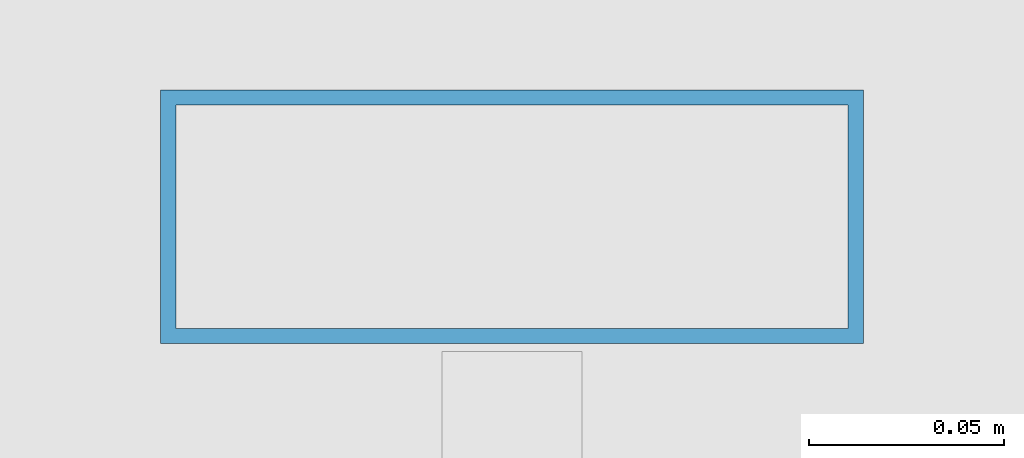
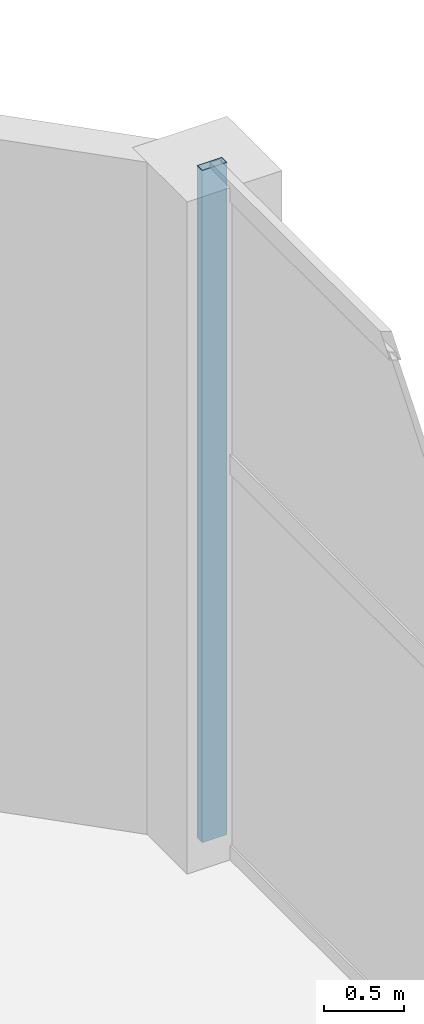
# One storey, part 31 of 52: 1 member, 1 element without a shape of its own.
"""IFC4 building model written with IfcOpenShell, lengths in metres."""

import ifcopenshell
import ifcopenshell.guid

model = None  # the IFC model being written
_history = None  # IfcOwnerHistory: only IFC2X3 demands one
_inside = {}  # id of a spatial element -> (the spatial element, [elements in it])
_under = {}  # id of a project, library or spatial element -> (it, [spatial elements below it])
_declared = {}  # id of a project -> (the project, [libraries it declares])
_typed = {}  # id of a type object -> (the type object, [elements of that type])
_made_of = {}  # id of a material, layer set ... -> (it, [elements and type objects made of it])


def new_model(schema):
    """Start an empty IFC model of exactly this schema.

    Asked for "IFC4X3", IfcOpenShell would pick the latest addendum, in which some entities
    have other attributes; the version numbers below select the first issue.
    IFC2X3 requires an IfcOwnerHistory on every rooted entity: one is made here for all.
    """
    global model, _history
    if schema == "IFC4X3":
        model = ifcopenshell.file(schema_version=(4, 3, 0, 0))
    else:
        model = ifcopenshell.file(schema=schema)
    _inside.clear()
    _under.clear()
    _declared.clear()
    _typed.clear()
    _made_of.clear()
    _history = None
    if model.schema == "IFC2X3":
        org = make("IfcOrganization", Name="unknown")
        user = make(
            "IfcPersonAndOrganization",
            ThePerson=make("IfcPerson", FamilyName="unknown"),
            TheOrganization=org,
        )
        app = make(
            "IfcApplication",
            ApplicationDeveloper=org,
            Version="unknown",
            ApplicationFullName="unknown",
            ApplicationIdentifier="unknown",
        )
        _history = make(
            "IfcOwnerHistory",
            OwningUser=user,
            OwningApplication=app,
            ChangeAction="ADDED",
            CreationDate=0,
        )
    return model


def make(cls, **values):
    """One entity of the class cls with the attributes given. An attribute that is None is left unset."""
    return model.create_entity(
        cls, **{name: value for name, value in values.items() if value is not None}
    )


def rooted(cls, **values):
    """An entity with a GlobalId (a new one), such as an element, a storey or a relation."""
    return make(cls, GlobalId=ifcopenshell.guid.new(), OwnerHistory=_history, **values)


def si_unit(unit_type, name, prefix=None):
    """IfcSIUnit, for example si_unit("LENGTHUNIT", "METRE", prefix="MILLI")."""
    return make("IfcSIUnit", UnitType=unit_type, Prefix=prefix, Name=name)


def assignment(units):
    """IfcUnitAssignment: the units of a project."""
    return None if units is None else make("IfcUnitAssignment", Units=units)


def point(xyz):
    """IfcCartesianPoint."""
    return None if xyz is None else make("IfcCartesianPoint", Coordinates=xyz)


def direction(xyz):
    """IfcDirection."""
    return None if xyz is None else make("IfcDirection", DirectionRatios=xyz)


def frame(location, z_axis=None, x_axis=None):
    """IfcAxis2Placement3D, a coordinate frame: its origin and axes. An axis left out is left unset."""
    return make(
        "IfcAxis2Placement3D",
        Location=point(location),
        Axis=direction(z_axis),
        RefDirection=direction(x_axis),
    )


def frame_2d(location, x_axis=None):
    """IfcAxis2Placement2D, a coordinate frame in the plane: its origin and x axis."""
    return make(
        "IfcAxis2Placement2D", Location=point(location), RefDirection=direction(x_axis)
    )


def origin():
    """The frame at (0, 0, 0) with its axes left unset."""
    return frame((0.0, 0.0, 0.0))


def origin_2d():
    """The frame at (0, 0) in the plane with its x axis left unset."""
    return frame_2d((0.0, 0.0))


def place(relative_to, where):
    """IfcLocalPlacement: puts the frame where relative to a parent placement (None: the world)."""
    return make(
        "IfcLocalPlacement", PlacementRelTo=relative_to, RelativePlacement=where
    )


def context(
    kind, dimensions, precision=None, world=None, true_north=None, identifier=None
):
    """IfcGeometricRepresentationContext, for example the 3D "Model" context."""
    return make(
        "IfcGeometricRepresentationContext",
        ContextIdentifier=identifier,
        ContextType=kind,
        CoordinateSpaceDimension=dimensions,
        Precision=precision,
        WorldCoordinateSystem=world,
        TrueNorth=true_north,
    )


def subcontext(parent, identifier, kind, view, scale=None):
    """IfcGeometricRepresentationSubContext, for example "Body" below "Model"."""
    return make(
        "IfcGeometricRepresentationSubContext",
        ContextIdentifier=identifier,
        ContextType=kind,
        ParentContext=parent,
        TargetScale=scale,
        TargetView=view,
    )


def project(units=None, contexts=None):
    """IfcProject with its units and contexts."""
    return rooted(
        "IfcProject",
        Name="project",
        RepresentationContexts=contexts,
        UnitsInContext=assignment(units),
    )


def spatial(cls, under=None, at=None, **own):
    """A site, building, storey or space (cls), placed at a placement, below another one or the project."""
    s = rooted(cls, ObjectPlacement=at, **own)
    if under is not None:
        _under.setdefault(under.id(), (under, []))[1].append(s)
    return s


def profile(cls, at=None, kind="AREA", **sizes):
    """A parametric profile (cls). Its sizes go by their IFC names, for example OverallWidth=200.0."""
    return make(cls, ProfileType=kind, Position=at, **sizes)


def hollow_rectangle(**sizes):
    """IfcRectangleHollowProfileDef."""
    return profile("IfcRectangleHollowProfileDef", **sizes)


def extrude(swept, where, along, depth):
    """IfcExtrudedAreaSolid: the profile swept, set in the frame where, extruded along a direction by depth."""
    return make(
        "IfcExtrudedAreaSolid",
        SweptArea=swept,
        Position=where,
        ExtrudedDirection=direction(along),
        Depth=depth,
    )


def shape(context_of_items, identifier, shape_type, items):
    """IfcShapeRepresentation: the items that make up one representation, for example the "Body"."""
    return make(
        "IfcShapeRepresentation",
        ContextOfItems=context_of_items,
        RepresentationIdentifier=identifier,
        RepresentationType=shape_type,
        Items=items,
    )


def material(Name=None, Category=None):
    """IfcMaterial."""
    return make("IfcMaterial", Name=Name, Category=Category)


def material_profile(
    of_material, cross_section, Name=None, Category=None, Priority=None
):
    """IfcMaterialProfile: a cross section and its material."""
    return make(
        "IfcMaterialProfile",
        Name=Name,
        Material=of_material,
        Profile=cross_section,
        Priority=Priority,
        Category=Category,
    )


def profile_set(profiles, Name=None, composite=None):
    """IfcMaterialProfileSet."""
    return make(
        "IfcMaterialProfileSet",
        Name=Name,
        MaterialProfiles=profiles,
        CompositeProfile=composite,
    )


def made_of(thing, what):
    """Note that an element or type object is made of a material, layer set ...; save() writes the relation."""
    if what is not None:
        _made_of.setdefault(what.id(), (what, []))[1].append(thing)
    return thing


def type_object(cls, material=None, **own):
    """A type object (cls), such as IfcWallType, which elements share."""
    return made_of(rooted(cls, **own), material)


def element(
    cls,
    number,
    at=None,
    inside=None,
    cuts=None,
    type_object=None,
    material=None,
    context=None,
    identifier="Body",
    shape_type=None,
    held_by="IfcProductDefinitionShape",
    body=None,
    shapes=None,
    **own,
):
    """One element of the class cls, such as IfcWall. Its Tag is "e" and its number.

    at: its placement. inside: the storey or other place that contains it. cuts: it is an
    opening in that element (IfcRelVoidsElement). A single representation is given by context,
    identifier, shape_type and body (its items); several are given by shapes. held_by: the class
    of the entity that holds the representations. save() writes the other relations.
    """
    e = rooted(cls, Tag="e%d" % number, ObjectPlacement=at, **own)
    if body is not None:
        shapes = [shape(context, identifier, shape_type, body)]
    if shapes is not None:
        e.Representation = make(held_by, Representations=shapes)
    if inside is not None:
        _inside.setdefault(inside.id(), (inside, []))[1].append(e)
    if cuts is not None:
        rooted(
            "IfcRelVoidsElement", RelatingBuildingElement=cuts, RelatedOpeningElement=e
        )
    if type_object is not None:
        _typed.setdefault(type_object.id(), (type_object, []))[1].append(e)
    return made_of(e, material)


def aggregate(whole, parts):
    """IfcRelAggregates: a whole, such as a stair, and the parts it consists of."""
    return rooted("IfcRelAggregates", RelatingObject=whole, RelatedObjects=parts)


def save(model, path):
    """Write the relations noted so far, then the file.

    IfcRelAggregates (storeys below a building ...), IfcRelContainedInSpatialStructure (elements
    in a storey), IfcRelDefinesByType, IfcRelAssociatesMaterial and IfcRelDeclares: one each for
    every whole, place, type object, material and project.
    """
    for whole, parts in _under.values():
        aggregate(whole, parts)
    for where, things in _inside.values():
        rooted(
            "IfcRelContainedInSpatialStructure",
            RelatedElements=things,
            RelatingStructure=where,
        )
    for kind, things in _typed.values():
        rooted("IfcRelDefinesByType", RelatedObjects=things, RelatingType=kind)
    for what, things in _made_of.values():
        rooted("IfcRelAssociatesMaterial", RelatedObjects=things, RelatingMaterial=what)
    for by, libraries in _declared.values():
        rooted("IfcRelDeclares", RelatingContext=by, RelatedDefinitions=libraries)
    model.write(path)


model = new_model("IFC4")

# Units and contexts
model_context = context("Model", 3, precision=1e-05, world=origin(), true_north=direction((0.0, 1.0)))
body_context = subcontext(model_context, "Body", "Model", "MODEL_VIEW")
ifc_project = project(units=[si_unit("LENGTHUNIT", "METRE"), si_unit("AREAUNIT", "SQUARE_METRE"), si_unit("VOLUMEUNIT", "CUBIC_METRE"), si_unit("PLANEANGLEUNIT", "RADIAN"), si_unit("MASSUNIT", "GRAM", prefix="KILO")], contexts=[model_context])

# Site, building, storey
site_placement = place(None, origin())
site = spatial("IfcSite", under=ifc_project, at=site_placement, CompositionType="ELEMENT")
building_placement = place(site_placement, origin())
building = spatial("IfcBuilding", under=site, at=building_placement, Name="Saevonmaru Cultural Tower", CompositionType="ELEMENT")
storey_placement = place(building_placement, frame((0.0, 0.0, 11.39990234375)))
storey = spatial("IfcBuildingStorey", under=building, at=storey_placement, Name="L02", CompositionType="ELEMENT", Elevation=11.39990234375)

# Curtain wall, member
ifc_material = material(Name="Satin Bronze Anodised Aluminium", Category="aluminium")
curtain_wall_type = type_object("IfcCurtainWallType", Name="CW-POD-GLZ", PredefinedType="NOTDEFINED", material=ifc_material)
curtain_wall_placement = place(storey_placement, origin())
curtain_wall = element("IfcCurtainWall", 1, at=curtain_wall_placement, inside=storey, type_object=curtain_wall_type, Name="L02 Saevon Plaza Curtain Wall", PredefinedType="NOTDEFINED")
ifc_material_profile = material_profile(ifc_material, hollow_rectangle(XDim=0.06494140625, YDim=0.179931640625, WallThickness=0.00390625, at=origin_2d()), Name="ALU-MULL-180x65x4")
ifc_profile_set = profile_set([ifc_material_profile], Name="Satin Bronze Anodised Aluminium")
member_type = type_object("IfcMemberType", Name="ML-CW-180x65", PredefinedType="MULLION", material=ifc_profile_set)
member_placement = place(storey_placement, frame((60.0, 52.739990234375, 0.0), z_axis=(0.0, 0.0, 1.0), x_axis=(0.0, 1.0, 0.0)))
member = element("IfcMember", 2, at=member_placement, type_object=member_type, Name="CW-POD-E-L02 mullion 6", PredefinedType="MULLION", context=body_context, shape_type="SweptSolid", body=[
    extrude(hollow_rectangle(XDim=0.06494140625, YDim=0.179931640625, WallThickness=0.00390625, at=origin_2d()), origin(), (0.0, 0.0, 1.0), 5.10009765625),
])
aggregate(curtain_wall, [member])

save(model, "model.ifc")
